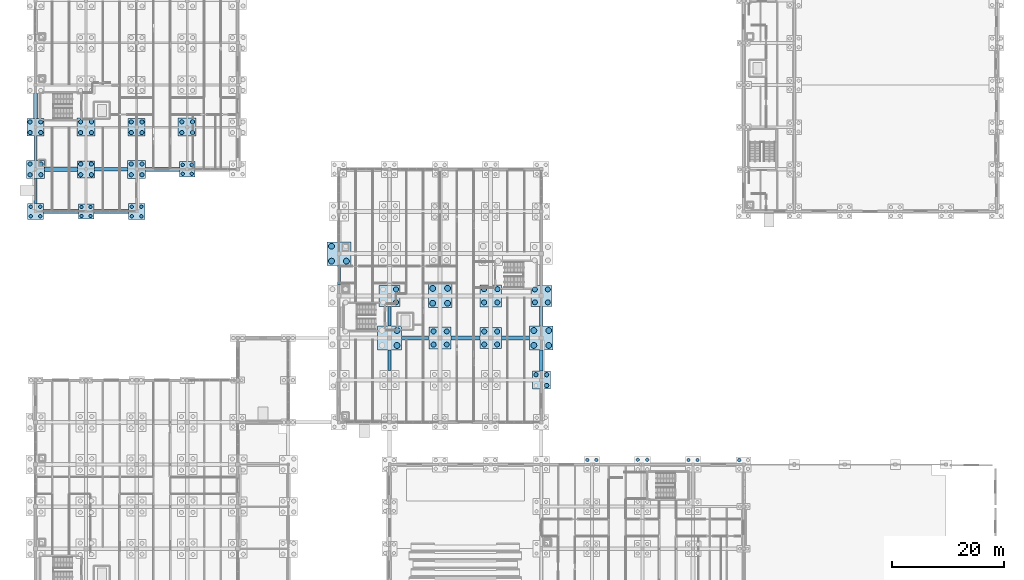
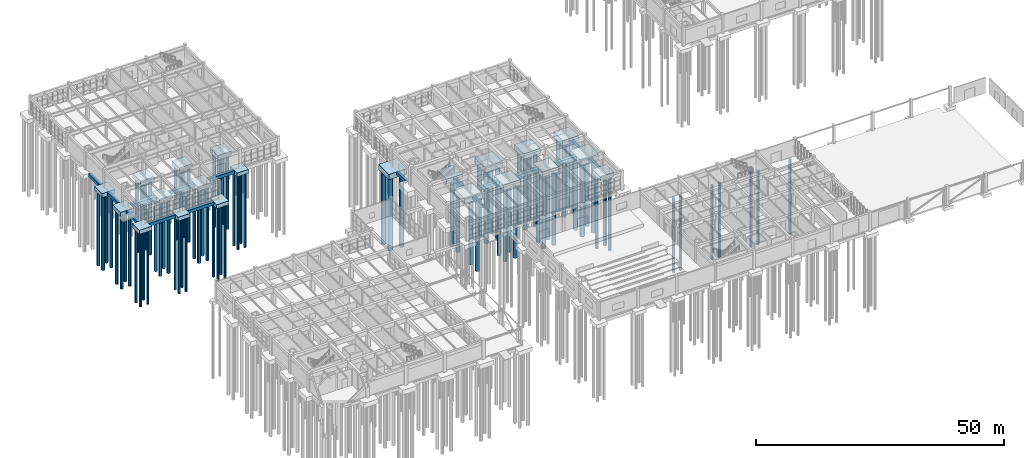
# One storey, part 5 of 93: 85 piles, 37 footings.
"""IFC4 building model written with IfcOpenShell, lengths in metres."""

from ifc_helpers import new_model, si_unit, direction, frame, origin, origin_2d, place, context, subcontext, project, spatial, rectangle, circle, extrude, material, material_profile, profile_set, type_object, element, save


model = new_model("IFC4")

# Units and contexts
model_context = context("Model", 3, precision=1e-05, world=origin(), true_north=direction((0.0, 1.0)))
body_context = subcontext(model_context, "Body", "Model", "MODEL_VIEW")
ifc_project = project(units=[si_unit("LENGTHUNIT", "METRE"), si_unit("AREAUNIT", "SQUARE_METRE"), si_unit("VOLUMEUNIT", "CUBIC_METRE"), si_unit("PLANEANGLEUNIT", "RADIAN"), si_unit("MASSUNIT", "GRAM", prefix="KILO")], contexts=[model_context])

# Site, building, storey
site_placement = place(None, origin())
site = spatial("IfcSite", under=ifc_project, at=site_placement, CompositionType="ELEMENT")
building_placement = place(site_placement, origin())
building = spatial("IfcBuilding", under=site, at=building_placement, Name="Marnridge Secondary College", CompositionType="ELEMENT")
storey_placement = place(building_placement, origin())
storey = spatial("IfcBuildingStorey", under=building, at=storey_placement, Name="L00", CompositionType="ELEMENT", Elevation=0.0)

# Footings
ifc_material_1 = material(Name="Concrete C40/50 (AS 3600 N40, 40 MPa)", Category="concrete")
footing_type_1 = type_object("IfcFootingType", Name="FT-PC-2750", PredefinedType="PILE_CAP", material=ifc_material_1)
for number, where, z_axis, x_axis, name in (
    (1, (9.0, 75.0, -1.2001953125), (0.0, 0.0, 1.0), (1.0, 0.0, 0.0), "Pile cap PC-105"),
    (2, (27.0, 82.5, -1.2001953125), (0.0, 0.0, 1.0), (1.0, 0.0, 0.0), "Pile cap PC-121"),
):
    element("IfcFooting", number, at=place(storey_placement, frame(where, z_axis=z_axis, x_axis=x_axis)), inside=storey, type_object=footing_type_1, Name=name, PredefinedType="PILE_CAP", context=body_context, shape_type="SweptSolid", body=[
        extrude(rectangle(XDim=2.75, YDim=2.75, at=origin_2d()), origin(), (0.0, 0.0, 1.0), 0.949951171875),
    ])
ifc_material_2 = material(Name="Concrete C40/50 (AS 3600 N40, 40 MPa)", Category="concrete")
footing_type_2 = type_object("IfcFootingType", Name="FT-PC-2900", PredefinedType="PILE_CAP", material=ifc_material_2)
for number, where, z_axis, x_axis, name in (
    (3, (0.0, 75.0, -1.22998046875), (0.0, 0.0, 1.0), (1.0, 0.0, 0.0), "Pile cap PC-104"),
    (4, (18.0, 75.0, -1.22998046875), (0.0, 0.0, 1.0), (1.0, 0.0, 0.0), "Pile cap PC-106"),
):
    element("IfcFooting", number, at=place(storey_placement, frame(where, z_axis=z_axis, x_axis=x_axis)), inside=storey, type_object=footing_type_2, Name=name, PredefinedType="PILE_CAP", context=body_context, shape_type="SweptSolid", body=[
        extrude(rectangle(XDim=2.89990234375, YDim=2.89990234375, at=origin_2d()), origin(), (0.0, 0.0, 1.0), 0.97998046875),
    ])
ifc_material_3 = material(Name="Concrete C40/50 (AS 3600 N40, 40 MPa)", Category="concrete")
footing_type_3 = type_object("IfcFootingType", Name="FT-PC-3050", PredefinedType="PILE_CAP", material=ifc_material_3)
for number, where, z_axis, x_axis, name in (
    (5, (9.0, 82.5, -1.25), (0.0, 0.0, 1.0), (1.0, 0.0, 0.0), "Pile cap PC-119"),
    (6, (0.0, 90.0, -1.25), (0.0, 0.0, 1.0), (1.0, 0.0, 0.0), "Pile cap PC-131"),
    (7, (18.0, 90.0, -1.25), (0.0, 0.0, 1.0), (1.0, 0.0, 0.0), "Pile cap PC-133"),
):
    element("IfcFooting", number, at=place(storey_placement, frame(where, z_axis=z_axis, x_axis=x_axis)), inside=storey, type_object=footing_type_3, Name=name, PredefinedType="PILE_CAP", context=body_context, shape_type="SweptSolid", body=[
        extrude(rectangle(XDim=3.050048828125, YDim=3.050048828125, at=origin_2d()), origin(), (0.0, 0.0, 1.0), 1.0),
    ])
ifc_material_4 = material(Name="Concrete C40/50 (AS 3600 N40, 40 MPa)", Category="concrete")
footing_type_4 = type_object("IfcFootingType", Name="FT-PC-3200", PredefinedType="PILE_CAP", material=ifc_material_4)
for number, where, z_axis, x_axis, name in (
    (8, (90.0, 45.0, -1.2998046875), (0.0, 0.0, 1.0), (1.0, 0.0, 0.0), "Pile cap PC-086"),
    (9, (0.0, 82.5, -1.2998046875), (0.0, 0.0, 1.0), (1.0, 0.0, 0.0), "Pile cap PC-118"),
    (10, (18.0, 82.5, -1.2998046875), (0.0, 0.0, 1.0), (1.0, 0.0, 0.0), "Pile cap PC-120"),
    (11, (9.0, 90.0, -1.2998046875), (0.0, 0.0, 1.0), (1.0, 0.0, 0.0), "Pile cap PC-132"),
    (12, (27.0, 90.0, -1.2998046875), (0.0, 0.0, 1.0), (1.0, 0.0, 0.0), "Pile cap PC-134"),
):
    element("IfcFooting", number, at=place(storey_placement, frame(where, z_axis=z_axis, x_axis=x_axis)), inside=storey, type_object=footing_type_4, Name=name, PredefinedType="PILE_CAP", context=body_context, shape_type="SweptSolid", body=[
        extrude(rectangle(XDim=3.199951171875, YDim=3.199951171875, at=origin_2d()), origin(), (0.0, 0.0, 1.0), 1.050048828125),
    ])
ifc_material_5 = material(Name="Concrete C40/50 (AS 3600 N40, 40 MPa)", Category="concrete")
footing_type_5 = type_object("IfcFootingType", Name="FT-PC-3750", PredefinedType="PILE_CAP", material=ifc_material_5)
for number, where, z_axis, x_axis, name in (
    (13, (81.0, 52.5, -1.4501953125), (0.0, 0.0, 1.0), (1.0, 0.0, 0.0), "Pile cap PC-092"),
    (14, (63.0, 60.0, -1.4501953125), (0.0, 0.0, 1.0), (1.0, 0.0, 0.0), "Pile cap PC-095"),
    (15, (90.0, 60.0, -1.4501953125), (0.0, 0.0, 1.0), (1.0, 0.0, 0.0), "Pile cap PC-098"),
):
    element("IfcFooting", number, at=place(storey_placement, frame(where, z_axis=z_axis, x_axis=x_axis)), inside=storey, type_object=footing_type_5, Name=name, PredefinedType="PILE_CAP", context=body_context, shape_type="SweptSolid", body=[
        extrude(rectangle(XDim=3.75, YDim=3.75, at=origin_2d()), origin(), (0.0, 0.0, 1.0), 1.199951171875),
    ])
ifc_material_6 = material(Name="Concrete C40/50 (AS 3600 N40, 40 MPa)", Category="concrete")
footing_type_6 = type_object("IfcFootingType", Name="FT-PC-3900", PredefinedType="PILE_CAP", material=ifc_material_6)
for number, where, z_axis, x_axis, name in (
    (16, (72.0, 52.5, -1.5), (0.0, 0.0, 1.0), (1.0, 0.0, 0.0), "Pile cap PC-091"),
    (17, (81.0, 60.0, -1.5), (0.0, 0.0, 1.0), (1.0, 0.0, 0.0), "Pile cap PC-097"),
):
    element("IfcFooting", number, at=place(storey_placement, frame(where, z_axis=z_axis, x_axis=x_axis)), inside=storey, type_object=footing_type_6, Name=name, PredefinedType="PILE_CAP", context=body_context, shape_type="SweptSolid", body=[
        extrude(rectangle(XDim=3.89990234375, YDim=3.89990234375, at=origin_2d()), origin(), (0.0, 0.0, 1.0), 1.25),
    ])
ifc_material_7 = material(Name="Concrete C50/60 (AS 3600 N50, 50 MPa)", Category="concrete")
footing_type_7 = type_object("IfcFootingType", Name="FT-PC-4200", PredefinedType="PILE_CAP", material=ifc_material_7)
for number, where, z_axis, x_axis, name in (
    (18, (63.0, 52.5, -1.5498046875), (0.0, 0.0, 1.0), (1.0, 0.0, 0.0), "Pile cap PC-090"),
    (19, (90.0, 52.5, -1.5498046875), (0.0, 0.0, 1.0), (1.0, 0.0, 0.0), "Pile cap PC-093"),
    (20, (72.0, 60.0, -1.5498046875), (0.0, 0.0, 1.0), (1.0, 0.0, 0.0), "Pile cap PC-096"),
    (21, (54.0, 67.5, -1.5498046875), (0.0, 0.0, 1.0), (1.0, 0.0, 0.0), "Pile cap PC-099"),
):
    element("IfcFooting", number, at=place(storey_placement, frame(where, z_axis=z_axis, x_axis=x_axis)), inside=storey, type_object=footing_type_7, Name=name, PredefinedType="PILE_CAP", context=body_context, shape_type="SweptSolid", body=[
        extrude(rectangle(XDim=4.199951171875, YDim=4.199951171875, at=origin_2d()), origin(), (0.0, 0.0, 1.0), 1.300048828125),
    ])
ifc_material_8 = material(Name="Concrete C40/50 (AS 3600 N40, 40 MPa)", Category="concrete")
footing_type_8 = type_object("IfcFootingType", Name="FT-SF-600", PredefinedType="STRIP_FOOTING", material=ifc_material_8)
footing_1_placement = place(storey_placement, frame((0.0, 78.675048828125, -0.9501953125), z_axis=(0.0, 0.0, 1.0), x_axis=(1.0, 0.0, 0.0)))
element("IfcFooting", 22, at=footing_1_placement, inside=storey, type_object=footing_type_8, Name="Ground strip footing SF-011", PredefinedType="STRIP_FOOTING", context=body_context, shape_type="SweptSolid", body=[
    extrude(rectangle(XDim=0.60009765625, YDim=4.449951171875, at=origin_2d()), origin(), (0.0, 0.0, 1.0), 0.699951171875),
])
footing_2_placement = place(storey_placement, frame((0.0, 86.28759765625, -0.9501953125), z_axis=(0.0, 0.0, 1.0), x_axis=(1.0, 0.0, 0.0)))
element("IfcFooting", 23, at=footing_2_placement, inside=storey, type_object=footing_type_8, Name="Ground strip footing SF-013", PredefinedType="STRIP_FOOTING", context=body_context, shape_type="SweptSolid", body=[
    extrude(rectangle(XDim=0.60009765625, YDim=4.375, at=origin_2d()), origin(), (0.0, 0.0, 1.0), 0.699951171875),
])
footing_3_placement = place(storey_placement, frame((13.46240234375, 82.5, -0.9501953125), z_axis=(0.0, 0.0, 1.0), x_axis=(1.0, 0.0, 0.0)))
element("IfcFooting", 24, at=footing_3_placement, inside=storey, type_object=footing_type_8, Name="Ground strip footing SF-023", PredefinedType="STRIP_FOOTING", context=body_context, shape_type="SweptSolid", body=[
    extrude(rectangle(XDim=5.875, YDim=0.60009765625, at=origin_2d()), origin(), (0.0, 0.0, 1.0), 0.699951171875),
])
footing_4_placement = place(storey_placement, frame((54.0, 63.675048828125, -0.9501953125), z_axis=(0.0, 0.0, 1.0), x_axis=(1.0, 0.0, 0.0)))
element("IfcFooting", 25, at=footing_4_placement, inside=storey, type_object=footing_type_8, Name="Ground strip footing SF-065", PredefinedType="STRIP_FOOTING", context=body_context, shape_type="SweptSolid", body=[
    extrude(rectangle(XDim=0.60009765625, YDim=3.449951171875, at=origin_2d()), origin(), (0.0, 0.0, 1.0), 0.699951171875),
])
footing_5_placement = place(storey_placement, frame((63.0, 48.53759765625, -0.9501953125), z_axis=(0.0, 0.0, 1.0), x_axis=(1.0, 0.0, 0.0)))
element("IfcFooting", 26, at=footing_5_placement, inside=storey, type_object=footing_type_8, Name="Ground strip footing SF-079", PredefinedType="STRIP_FOOTING", context=body_context, shape_type="SweptSolid", body=[
    extrude(rectangle(XDim=0.60009765625, YDim=3.72509765625, at=origin_2d()), origin(), (0.0, 0.0, 1.0), 0.699951171875),
])
footing_6_placement = place(storey_placement, frame((67.574951171875, 52.5, -0.9501953125), z_axis=(0.0, 0.0, 1.0), x_axis=(1.0, 0.0, 0.0)))
element("IfcFooting", 27, at=footing_6_placement, inside=storey, type_object=footing_type_8, Name="Ground strip footing SF-080", PredefinedType="STRIP_FOOTING", context=body_context, shape_type="SweptSolid", body=[
    extrude(rectangle(XDim=4.949951171875, YDim=0.60009765625, at=origin_2d()), origin(), (0.0, 0.0, 1.0), 0.699951171875),
])
footing_7_placement = place(storey_placement, frame((63.0, 56.362548828125, -0.9501953125), z_axis=(0.0, 0.0, 1.0), x_axis=(1.0, 0.0, 0.0)))
element("IfcFooting", 28, at=footing_7_placement, inside=storey, type_object=footing_type_8, Name="Ground strip footing SF-081", PredefinedType="STRIP_FOOTING", context=body_context, shape_type="SweptSolid", body=[
    extrude(rectangle(XDim=0.60009765625, YDim=3.52490234375, at=origin_2d()), origin(), (0.0, 0.0, 1.0), 0.699951171875),
])
footing_8_placement = place(storey_placement, frame((90.0, 48.5, -0.9501953125), z_axis=(0.0, 0.0, 1.0), x_axis=(1.0, 0.0, 0.0)))
element("IfcFooting", 29, at=footing_8_placement, inside=storey, type_object=footing_type_8, Name="Ground strip footing SF-107", PredefinedType="STRIP_FOOTING", context=body_context, shape_type="SweptSolid", body=[
    extrude(rectangle(XDim=0.60009765625, YDim=3.800048828125, at=origin_2d()), origin(), (0.0, 0.0, 1.0), 0.699951171875),
])
ifc_material_9 = material(Name="Concrete C40/50 (AS 3600 N40, 40 MPa)", Category="concrete")
footing_type_9 = type_object("IfcFootingType", Name="FT-SF-680", PredefinedType="STRIP_FOOTING", material=ifc_material_9)
footing_9_placement = place(storey_placement, frame((4.53759765625, 75.0, -1.009765625), z_axis=(0.0, 0.0, 1.0), x_axis=(1.0, 0.0, 0.0)))
element("IfcFooting", 30, at=footing_9_placement, inside=storey, type_object=footing_type_9, Name="Ground strip footing SF-010", PredefinedType="STRIP_FOOTING", context=body_context, shape_type="SweptSolid", body=[
    extrude(rectangle(XDim=6.175048828125, YDim=0.679931640625, at=origin_2d()), origin(), (0.0, 0.0, 1.0), 0.760009765625),
])
footing_10_placement = place(storey_placement, frame((0.0, 93.75, -1.009765625), z_axis=(0.0, 0.0, 1.0), x_axis=(1.0, 0.0, 0.0)))
element("IfcFooting", 31, at=footing_10_placement, inside=storey, type_object=footing_type_9, Name="Ground strip footing SF-014", PredefinedType="STRIP_FOOTING", context=body_context, shape_type="SweptSolid", body=[
    extrude(rectangle(XDim=0.679931640625, YDim=4.449951171875, at=origin_2d()), origin(), (0.0, 0.0, 1.0), 0.760009765625),
])
footing_11_placement = place(storey_placement, frame((13.46240234375, 75.0, -1.009765625), z_axis=(0.0, 0.0, 1.0), x_axis=(1.0, 0.0, 0.0)))
element("IfcFooting", 32, at=footing_11_placement, inside=storey, type_object=footing_type_9, Name="Ground strip footing SF-022", PredefinedType="STRIP_FOOTING", context=body_context, shape_type="SweptSolid", body=[
    extrude(rectangle(XDim=6.175048828125, YDim=0.679931640625, at=origin_2d()), origin(), (0.0, 0.0, 1.0), 0.760009765625),
])
footing_12_placement = place(storey_placement, frame((22.612548828125, 82.5, -1.009765625), z_axis=(0.0, 0.0, 1.0), x_axis=(1.0, 0.0, 0.0)))
element("IfcFooting", 33, at=footing_12_placement, inside=storey, type_object=footing_type_9, Name="Ground strip footing SF-028", PredefinedType="STRIP_FOOTING", context=body_context, shape_type="SweptSolid", body=[
    extrude(rectangle(XDim=6.02490234375, YDim=0.679931640625, at=origin_2d()), origin(), (0.0, 0.0, 1.0), 0.760009765625),
])
footing_13_placement = place(storey_placement, frame((90.0, 56.362548828125, -1.009765625), z_axis=(0.0, 0.0, 1.0), x_axis=(1.0, 0.0, 0.0)))
element("IfcFooting", 34, at=footing_13_placement, inside=storey, type_object=footing_type_9, Name="Ground strip footing SF-108", PredefinedType="STRIP_FOOTING", context=body_context, shape_type="SweptSolid", body=[
    extrude(rectangle(XDim=0.679931640625, YDim=3.52490234375, at=origin_2d()), origin(), (0.0, 0.0, 1.0), 0.760009765625),
])
ifc_material_10 = material(Name="Concrete C40/50 (AS 3600 N40, 40 MPa)", Category="concrete")
footing_type_10 = type_object("IfcFootingType", Name="FT-SF-760", PredefinedType="STRIP_FOOTING", material=ifc_material_10)
footing_14_placement = place(storey_placement, frame((4.53759765625, 82.5, -1.06982421875), z_axis=(0.0, 0.0, 1.0), x_axis=(1.0, 0.0, 0.0)))
element("IfcFooting", 35, at=footing_14_placement, inside=storey, type_object=footing_type_10, Name="Ground strip footing SF-012", PredefinedType="STRIP_FOOTING", context=body_context, shape_type="SweptSolid", body=[
    extrude(rectangle(XDim=5.875, YDim=0.760009765625, at=origin_2d()), origin(), (0.0, 0.0, 1.0), 0.820068359375),
])
footing_15_placement = place(storey_placement, frame((76.53759765625, 52.5, -1.06982421875), z_axis=(0.0, 0.0, 1.0), x_axis=(1.0, 0.0, 0.0)))
element("IfcFooting", 36, at=footing_15_placement, inside=storey, type_object=footing_type_10, Name="Ground strip footing SF-090", PredefinedType="STRIP_FOOTING", context=body_context, shape_type="SweptSolid", body=[
    extrude(rectangle(XDim=5.175048828125, YDim=0.760009765625, at=origin_2d()), origin(), (0.0, 0.0, 1.0), 0.820068359375),
])
footing_16_placement = place(storey_placement, frame((85.387451171875, 52.5, -1.06982421875), z_axis=(0.0, 0.0, 1.0), x_axis=(1.0, 0.0, 0.0)))
element("IfcFooting", 37, at=footing_16_placement, inside=storey, type_object=footing_type_10, Name="Ground strip footing SF-096", PredefinedType="STRIP_FOOTING", context=body_context, shape_type="SweptSolid", body=[
    extrude(rectangle(XDim=5.02490234375, YDim=0.760009765625, at=origin_2d()), origin(), (0.0, 0.0, 1.0), 0.820068359375),
])

# Piles
ifc_material_11 = material(Name="Concrete C50/60 (AS 3600 N50, 50 MPa)", Category="concrete")
ifc_material_profile_1 = material_profile(ifc_material_11, circle(Radius=0.52490234375, at=origin_2d()), Name="PILE D1050")
ifc_profile_set_1 = profile_set([ifc_material_profile_1], Name="Concrete C50/60 (AS 3600 N50, 50 MPa)")
pile_type_1 = type_object("IfcPileType", Name="PL-D1050-N50", PredefinedType="BORED", material=ifc_profile_set_1)
for number, where, z_axis, x_axis, name in (
    (38, (64.324951171875, 51.175048828125, -1.449951171875), (0.0, 0.0, -1.0), (1.0, 0.0, 0.0), "Bored pile PL-334"),
    (39, (64.324951171875, 53.824951171875, -1.449951171875), (0.0, 0.0, -1.0), (1.0, 0.0, 0.0), "Bored pile PL-336"),
    (40, (88.675048828125, 51.175048828125, -1.449951171875), (0.0, 0.0, -1.0), (1.0, 0.0, 0.0), "Bored pile PL-345"),
    (41, (91.324951171875, 51.175048828125, -1.449951171875), (0.0, 0.0, -1.0), (1.0, 0.0, 0.0), "Bored pile PL-346"),
    (42, (88.675048828125, 53.824951171875, -1.449951171875), (0.0, 0.0, -1.0), (1.0, 0.0, 0.0), "Bored pile PL-347"),
    (43, (91.324951171875, 53.824951171875, -1.449951171875), (0.0, 0.0, -1.0), (1.0, 0.0, 0.0), "Bored pile PL-348"),
    (44, (70.675048828125, 58.675048828125, -1.449951171875), (0.0, 0.0, -1.0), (1.0, 0.0, 0.0), "Bored pile PL-357"),
    (45, (73.324951171875, 58.675048828125, -1.449951171875), (0.0, 0.0, -1.0), (1.0, 0.0, 0.0), "Bored pile PL-358"),
    (46, (70.675048828125, 61.324951171875, -1.449951171875), (0.0, 0.0, -1.0), (1.0, 0.0, 0.0), "Bored pile PL-359"),
    (47, (73.324951171875, 61.324951171875, -1.449951171875), (0.0, 0.0, -1.0), (1.0, 0.0, 0.0), "Bored pile PL-360"),
    (48, (52.675048828125, 66.175048828125, -1.449951171875), (0.0, 0.0, -1.0), (1.0, 0.0, 0.0), "Bored pile PL-369"),
    (49, (55.324951171875, 66.175048828125, -1.449951171875), (0.0, 0.0, -1.0), (1.0, 0.0, 0.0), "Bored pile PL-370"),
    (50, (52.675048828125, 68.824951171875, -1.449951171875), (0.0, 0.0, -1.0), (1.0, 0.0, 0.0), "Bored pile PL-371"),
):
    element("IfcPile", number, at=place(storey_placement, frame(where, z_axis=z_axis, x_axis=x_axis)), inside=storey, type_object=pile_type_1, Name=name, PredefinedType="BORED", context=body_context, shape_type="SweptSolid", body=[
        extrude(circle(Radius=0.52490234375, at=origin_2d()), origin(), (0.0, 0.0, 1.0), 18.050048828125),
    ])
ifc_material_12 = material(Name="Concrete C40/50 (AS 3600 N40, 40 MPa)", Category="concrete")
ifc_material_profile_2 = material_profile(ifc_material_12, circle(Radius=0.300048828125, at=origin_2d()), Name="PILE D600")
ifc_profile_set_2 = profile_set([ifc_material_profile_2], Name="Concrete C40/50 (AS 3600 N40, 40 MPa)")
pile_type_2 = type_object("IfcPileType", Name="PL-D600-N40", PredefinedType="BORED", material=ifc_profile_set_2)
for number, where, z_axis, x_axis, name in (
    (51, (98.199951171875, 30.800048828125, -1.10009765625), (0.0, 0.0, -1.0), (1.0, 0.0, 0.0), "Bored pile PL-237"),
    (52, (99.800048828125, 30.800048828125, -1.10009765625), (0.0, 0.0, -1.0), (1.0, 0.0, 0.0), "Bored pile PL-238"),
):
    element("IfcPile", number, at=place(storey_placement, frame(where, z_axis=z_axis, x_axis=x_axis)), inside=storey, type_object=pile_type_2, Name=name, PredefinedType="BORED", context=body_context, shape_type="SweptSolid", body=[
        extrude(circle(Radius=0.300048828125, at=origin_2d()), origin(), (0.0, 0.0, 1.0), 18.39990234375),
    ])
for number, where, z_axis, x_axis, name in (
    (53, (107.14990234375, 30.85009765625, -1.1298828125), (0.0, 0.0, -1.0), (1.0, 0.0, 0.0), "Bored pile PL-241"),
    (54, (108.85009765625, 30.85009765625, -1.1298828125), (0.0, 0.0, -1.0), (1.0, 0.0, 0.0), "Bored pile PL-242"),
):
    element("IfcPile", number, at=place(storey_placement, frame(where, z_axis=z_axis, x_axis=x_axis)), inside=storey, type_object=pile_type_2, Name=name, PredefinedType="BORED", context=body_context, shape_type="SweptSolid", body=[
        extrude(circle(Radius=0.300048828125, at=origin_2d()), origin(), (0.0, 0.0, 1.0), 18.3701171875),
    ])
for number, where, z_axis, x_axis, name in (
    (55, (116.199951171875, 30.800048828125, -1.10009765625), (0.0, 0.0, -1.0), (1.0, 0.0, 0.0), "Bored pile PL-245"),
    (56, (117.800048828125, 30.800048828125, -1.10009765625), (0.0, 0.0, -1.0), (1.0, 0.0, 0.0), "Bored pile PL-246"),
):
    element("IfcPile", number, at=place(storey_placement, frame(where, z_axis=z_axis, x_axis=x_axis)), inside=storey, type_object=pile_type_2, Name=name, PredefinedType="BORED", context=body_context, shape_type="SweptSolid", body=[
        extrude(circle(Radius=0.300048828125, at=origin_2d()), origin(), (0.0, 0.0, 1.0), 18.39990234375),
    ])
pile_placement = place(storey_placement, frame((125.22509765625, 30.77490234375, -1.070068359375), z_axis=(0.0, 0.0, -1.0), x_axis=(1.0, 0.0, 0.0)))
element("IfcPile", 57, at=pile_placement, inside=storey, type_object=pile_type_2, Name="Bored pile PL-249", PredefinedType="BORED", context=body_context, shape_type="SweptSolid", body=[
    extrude(circle(Radius=0.300048828125, at=origin_2d()), origin(), (0.0, 0.0, 1.0), 18.429931640625),
])
for number, where, z_axis, x_axis, name in (
    (58, (-0.85009765625, 74.14990234375, -1.1298828125), (0.0, 0.0, -1.0), (1.0, 0.0, 0.0), "Bored pile PL-389"),
    (59, (0.85009765625, 74.14990234375, -1.1298828125), (0.0, 0.0, -1.0), (1.0, 0.0, 0.0), "Bored pile PL-390"),
    (60, (-0.85009765625, 75.85009765625, -1.1298828125), (0.0, 0.0, -1.0), (1.0, 0.0, 0.0), "Bored pile PL-391"),
    (61, (0.85009765625, 75.85009765625, -1.1298828125), (0.0, 0.0, -1.0), (1.0, 0.0, 0.0), "Bored pile PL-392"),
):
    element("IfcPile", number, at=place(storey_placement, frame(where, z_axis=z_axis, x_axis=x_axis)), inside=storey, type_object=pile_type_2, Name=name, PredefinedType="BORED", context=body_context, shape_type="SweptSolid", body=[
        extrude(circle(Radius=0.300048828125, at=origin_2d()), origin(), (0.0, 0.0, 1.0), 18.3701171875),
    ])
for number, where, z_axis, x_axis, name in (
    (62, (8.199951171875, 74.199951171875, -1.10009765625), (0.0, 0.0, -1.0), (1.0, 0.0, 0.0), "Bored pile PL-393"),
    (63, (9.800048828125, 74.199951171875, -1.10009765625), (0.0, 0.0, -1.0), (1.0, 0.0, 0.0), "Bored pile PL-394"),
    (64, (8.199951171875, 75.800048828125, -1.10009765625), (0.0, 0.0, -1.0), (1.0, 0.0, 0.0), "Bored pile PL-395"),
    (65, (9.800048828125, 75.800048828125, -1.10009765625), (0.0, 0.0, -1.0), (1.0, 0.0, 0.0), "Bored pile PL-396"),
):
    element("IfcPile", number, at=place(storey_placement, frame(where, z_axis=z_axis, x_axis=x_axis)), inside=storey, type_object=pile_type_2, Name=name, PredefinedType="BORED", context=body_context, shape_type="SweptSolid", body=[
        extrude(circle(Radius=0.300048828125, at=origin_2d()), origin(), (0.0, 0.0, 1.0), 18.39990234375),
    ])
for number, where, z_axis, x_axis, name in (
    (66, (17.14990234375, 74.14990234375, -1.1298828125), (0.0, 0.0, -1.0), (1.0, 0.0, 0.0), "Bored pile PL-397"),
    (67, (18.85009765625, 74.14990234375, -1.1298828125), (0.0, 0.0, -1.0), (1.0, 0.0, 0.0), "Bored pile PL-398"),
    (68, (17.14990234375, 75.85009765625, -1.1298828125), (0.0, 0.0, -1.0), (1.0, 0.0, 0.0), "Bored pile PL-399"),
    (69, (18.85009765625, 75.85009765625, -1.1298828125), (0.0, 0.0, -1.0), (1.0, 0.0, 0.0), "Bored pile PL-400"),
):
    element("IfcPile", number, at=place(storey_placement, frame(where, z_axis=z_axis, x_axis=x_axis)), inside=storey, type_object=pile_type_2, Name=name, PredefinedType="BORED", context=body_context, shape_type="SweptSolid", body=[
        extrude(circle(Radius=0.300048828125, at=origin_2d()), origin(), (0.0, 0.0, 1.0), 18.3701171875),
    ])
for number, where, z_axis, x_axis, name in (
    (70, (26.199951171875, 81.699951171875, -1.10009765625), (0.0, 0.0, -1.0), (1.0, 0.0, 0.0), "Bored pile PL-457"),
    (71, (27.800048828125, 81.699951171875, -1.10009765625), (0.0, 0.0, -1.0), (1.0, 0.0, 0.0), "Bored pile PL-458"),
    (72, (26.199951171875, 83.300048828125, -1.10009765625), (0.0, 0.0, -1.0), (1.0, 0.0, 0.0), "Bored pile PL-459"),
    (73, (27.800048828125, 83.300048828125, -1.10009765625), (0.0, 0.0, -1.0), (1.0, 0.0, 0.0), "Bored pile PL-460"),
):
    element("IfcPile", number, at=place(storey_placement, frame(where, z_axis=z_axis, x_axis=x_axis)), inside=storey, type_object=pile_type_2, Name=name, PredefinedType="BORED", context=body_context, shape_type="SweptSolid", body=[
        extrude(circle(Radius=0.300048828125, at=origin_2d()), origin(), (0.0, 0.0, 1.0), 18.39990234375),
    ])
ifc_material_13 = material(Name="Concrete C40/50 (AS 3600 N40, 40 MPa)", Category="concrete")
ifc_material_profile_3 = material_profile(ifc_material_13, circle(Radius=0.375, at=origin_2d()), Name="PILE D750")
ifc_profile_set_3 = profile_set([ifc_material_profile_3], Name="Concrete C40/50 (AS 3600 N40, 40 MPa)")
pile_type_3 = type_object("IfcPileType", Name="PL-D750-N40", PredefinedType="BORED", material=ifc_profile_set_3)
for number, where, z_axis, x_axis, name in (
    (74, (90.9599609375, 44.0400390625, -1.199951171875), (0.0, 0.0, -1.0), (1.0, 0.0, 0.0), "Bored pile PL-322"),
    (75, (89.0400390625, 45.9599609375, -1.199951171875), (0.0, 0.0, -1.0), (1.0, 0.0, 0.0), "Bored pile PL-323"),
    (76, (90.9599609375, 45.9599609375, -1.199951171875), (0.0, 0.0, -1.0), (1.0, 0.0, 0.0), "Bored pile PL-324"),
    (77, (-0.9599609375, 81.5400390625, -1.199951171875), (0.0, 0.0, -1.0), (1.0, 0.0, 0.0), "Bored pile PL-445"),
    (78, (0.9599609375, 81.5400390625, -1.199951171875), (0.0, 0.0, -1.0), (1.0, 0.0, 0.0), "Bored pile PL-446"),
    (79, (-0.9599609375, 83.4599609375, -1.199951171875), (0.0, 0.0, -1.0), (1.0, 0.0, 0.0), "Bored pile PL-447"),
    (80, (0.9599609375, 83.4599609375, -1.199951171875), (0.0, 0.0, -1.0), (1.0, 0.0, 0.0), "Bored pile PL-448"),
):
    element("IfcPile", number, at=place(storey_placement, frame(where, z_axis=z_axis, x_axis=x_axis)), inside=storey, type_object=pile_type_3, Name=name, PredefinedType="BORED", context=body_context, shape_type="SweptSolid", body=[
        extrude(circle(Radius=0.375, at=origin_2d()), origin(), (0.0, 0.0, 1.0), 18.300048828125),
    ])
for number, where, z_axis, x_axis, name in (
    (81, (8.050048828125, 81.550048828125, -1.14990234375), (0.0, 0.0, -1.0), (1.0, 0.0, 0.0), "Bored pile PL-449"),
    (82, (9.949951171875, 81.550048828125, -1.14990234375), (0.0, 0.0, -1.0), (1.0, 0.0, 0.0), "Bored pile PL-450"),
    (83, (8.050048828125, 83.449951171875, -1.14990234375), (0.0, 0.0, -1.0), (1.0, 0.0, 0.0), "Bored pile PL-451"),
    (84, (9.949951171875, 83.449951171875, -1.14990234375), (0.0, 0.0, -1.0), (1.0, 0.0, 0.0), "Bored pile PL-452"),
):
    element("IfcPile", number, at=place(storey_placement, frame(where, z_axis=z_axis, x_axis=x_axis)), inside=storey, type_object=pile_type_3, Name=name, PredefinedType="BORED", context=body_context, shape_type="SweptSolid", body=[
        extrude(circle(Radius=0.375, at=origin_2d()), origin(), (0.0, 0.0, 1.0), 18.35009765625),
    ])
for number, where, z_axis, x_axis, name in (
    (85, (17.0400390625, 81.5400390625, -1.199951171875), (0.0, 0.0, -1.0), (1.0, 0.0, 0.0), "Bored pile PL-453"),
    (86, (18.9599609375, 81.5400390625, -1.199951171875), (0.0, 0.0, -1.0), (1.0, 0.0, 0.0), "Bored pile PL-454"),
    (87, (17.0400390625, 83.4599609375, -1.199951171875), (0.0, 0.0, -1.0), (1.0, 0.0, 0.0), "Bored pile PL-455"),
    (88, (18.9599609375, 83.4599609375, -1.199951171875), (0.0, 0.0, -1.0), (1.0, 0.0, 0.0), "Bored pile PL-456"),
):
    element("IfcPile", number, at=place(storey_placement, frame(where, z_axis=z_axis, x_axis=x_axis)), inside=storey, type_object=pile_type_3, Name=name, PredefinedType="BORED", context=body_context, shape_type="SweptSolid", body=[
        extrude(circle(Radius=0.375, at=origin_2d()), origin(), (0.0, 0.0, 1.0), 18.300048828125),
    ])
for number, where, z_axis, x_axis, name in (
    (89, (-0.949951171875, 89.050048828125, -1.14990234375), (0.0, 0.0, -1.0), (1.0, 0.0, 0.0), "Bored pile PL-495"),
    (90, (0.949951171875, 89.050048828125, -1.14990234375), (0.0, 0.0, -1.0), (1.0, 0.0, 0.0), "Bored pile PL-496"),
    (91, (-0.949951171875, 90.949951171875, -1.14990234375), (0.0, 0.0, -1.0), (1.0, 0.0, 0.0), "Bored pile PL-497"),
    (92, (0.949951171875, 90.949951171875, -1.14990234375), (0.0, 0.0, -1.0), (1.0, 0.0, 0.0), "Bored pile PL-498"),
):
    element("IfcPile", number, at=place(storey_placement, frame(where, z_axis=z_axis, x_axis=x_axis)), inside=storey, type_object=pile_type_3, Name=name, PredefinedType="BORED", context=body_context, shape_type="SweptSolid", body=[
        extrude(circle(Radius=0.375, at=origin_2d()), origin(), (0.0, 0.0, 1.0), 18.35009765625),
    ])
for number, where, z_axis, x_axis, name in (
    (93, (8.0400390625, 89.0400390625, -1.199951171875), (0.0, 0.0, -1.0), (1.0, 0.0, 0.0), "Bored pile PL-499"),
    (94, (9.9599609375, 89.0400390625, -1.199951171875), (0.0, 0.0, -1.0), (1.0, 0.0, 0.0), "Bored pile PL-500"),
    (95, (8.0400390625, 90.9599609375, -1.199951171875), (0.0, 0.0, -1.0), (1.0, 0.0, 0.0), "Bored pile PL-501"),
    (96, (9.9599609375, 90.9599609375, -1.199951171875), (0.0, 0.0, -1.0), (1.0, 0.0, 0.0), "Bored pile PL-502"),
):
    element("IfcPile", number, at=place(storey_placement, frame(where, z_axis=z_axis, x_axis=x_axis)), inside=storey, type_object=pile_type_3, Name=name, PredefinedType="BORED", context=body_context, shape_type="SweptSolid", body=[
        extrude(circle(Radius=0.375, at=origin_2d()), origin(), (0.0, 0.0, 1.0), 18.300048828125),
    ])
for number, where, z_axis, x_axis, name in (
    (97, (17.050048828125, 89.050048828125, -1.14990234375), (0.0, 0.0, -1.0), (1.0, 0.0, 0.0), "Bored pile PL-503"),
    (98, (18.949951171875, 89.050048828125, -1.14990234375), (0.0, 0.0, -1.0), (1.0, 0.0, 0.0), "Bored pile PL-504"),
    (99, (17.050048828125, 90.949951171875, -1.14990234375), (0.0, 0.0, -1.0), (1.0, 0.0, 0.0), "Bored pile PL-505"),
    (100, (18.949951171875, 90.949951171875, -1.14990234375), (0.0, 0.0, -1.0), (1.0, 0.0, 0.0), "Bored pile PL-506"),
):
    element("IfcPile", number, at=place(storey_placement, frame(where, z_axis=z_axis, x_axis=x_axis)), inside=storey, type_object=pile_type_3, Name=name, PredefinedType="BORED", context=body_context, shape_type="SweptSolid", body=[
        extrude(circle(Radius=0.375, at=origin_2d()), origin(), (0.0, 0.0, 1.0), 18.35009765625),
    ])
for number, where, z_axis, x_axis, name in (
    (101, (26.0400390625, 89.0400390625, -1.199951171875), (0.0, 0.0, -1.0), (1.0, 0.0, 0.0), "Bored pile PL-507"),
    (102, (27.9599609375, 89.0400390625, -1.199951171875), (0.0, 0.0, -1.0), (1.0, 0.0, 0.0), "Bored pile PL-508"),
    (103, (26.0400390625, 90.9599609375, -1.199951171875), (0.0, 0.0, -1.0), (1.0, 0.0, 0.0), "Bored pile PL-509"),
    (104, (27.9599609375, 90.9599609375, -1.199951171875), (0.0, 0.0, -1.0), (1.0, 0.0, 0.0), "Bored pile PL-510"),
):
    element("IfcPile", number, at=place(storey_placement, frame(where, z_axis=z_axis, x_axis=x_axis)), inside=storey, type_object=pile_type_3, Name=name, PredefinedType="BORED", context=body_context, shape_type="SweptSolid", body=[
        extrude(circle(Radius=0.375, at=origin_2d()), origin(), (0.0, 0.0, 1.0), 18.300048828125),
    ])
ifc_material_14 = material(Name="Concrete C50/60 (AS 3600 N50, 50 MPa)", Category="concrete")
ifc_material_profile_4 = material_profile(ifc_material_14, circle(Radius=0.449951171875, at=origin_2d()), Name="PILE D900")
ifc_profile_set_4 = profile_set([ifc_material_profile_4], Name="Concrete C50/60 (AS 3600 N50, 50 MPa)")
pile_type_4 = type_object("IfcPileType", Name="PL-D900-N50", PredefinedType="BORED", material=ifc_profile_set_4)
for number, where, z_axis, x_axis, name in (
    (105, (70.824951171875, 51.324951171875, -1.39990234375), (0.0, 0.0, -1.0), (1.0, 0.0, 0.0), "Bored pile PL-337"),
    (106, (73.175048828125, 51.324951171875, -1.39990234375), (0.0, 0.0, -1.0), (1.0, 0.0, 0.0), "Bored pile PL-338"),
    (107, (70.824951171875, 53.675048828125, -1.39990234375), (0.0, 0.0, -1.0), (1.0, 0.0, 0.0), "Bored pile PL-339"),
    (108, (73.175048828125, 53.675048828125, -1.39990234375), (0.0, 0.0, -1.0), (1.0, 0.0, 0.0), "Bored pile PL-340"),
):
    element("IfcPile", number, at=place(storey_placement, frame(where, z_axis=z_axis, x_axis=x_axis)), inside=storey, type_object=pile_type_4, Name=name, PredefinedType="BORED", context=body_context, shape_type="SweptSolid", body=[
        extrude(circle(Radius=0.449951171875, at=origin_2d()), origin(), (0.0, 0.0, 1.0), 18.10009765625),
    ])
for number, where, z_axis, x_axis, name in (
    (109, (79.85009765625, 51.35009765625, -1.35009765625), (0.0, 0.0, -1.0), (1.0, 0.0, 0.0), "Bored pile PL-341"),
    (110, (82.14990234375, 51.35009765625, -1.35009765625), (0.0, 0.0, -1.0), (1.0, 0.0, 0.0), "Bored pile PL-342"),
    (111, (79.85009765625, 53.64990234375, -1.35009765625), (0.0, 0.0, -1.0), (1.0, 0.0, 0.0), "Bored pile PL-343"),
    (112, (82.14990234375, 53.64990234375, -1.35009765625), (0.0, 0.0, -1.0), (1.0, 0.0, 0.0), "Bored pile PL-344"),
    (113, (64.14990234375, 58.85009765625, -1.35009765625), (0.0, 0.0, -1.0), (1.0, 0.0, 0.0), "Bored pile PL-354"),
    (114, (64.14990234375, 61.14990234375, -1.35009765625), (0.0, 0.0, -1.0), (1.0, 0.0, 0.0), "Bored pile PL-356"),
):
    element("IfcPile", number, at=place(storey_placement, frame(where, z_axis=z_axis, x_axis=x_axis)), inside=storey, type_object=pile_type_4, Name=name, PredefinedType="BORED", context=body_context, shape_type="SweptSolid", body=[
        extrude(circle(Radius=0.449951171875, at=origin_2d()), origin(), (0.0, 0.0, 1.0), 18.14990234375),
    ])
for number, where, z_axis, x_axis, name in (
    (115, (79.824951171875, 58.824951171875, -1.39990234375), (0.0, 0.0, -1.0), (1.0, 0.0, 0.0), "Bored pile PL-361"),
    (116, (82.175048828125, 58.824951171875, -1.39990234375), (0.0, 0.0, -1.0), (1.0, 0.0, 0.0), "Bored pile PL-362"),
    (117, (79.824951171875, 61.175048828125, -1.39990234375), (0.0, 0.0, -1.0), (1.0, 0.0, 0.0), "Bored pile PL-363"),
    (118, (82.175048828125, 61.175048828125, -1.39990234375), (0.0, 0.0, -1.0), (1.0, 0.0, 0.0), "Bored pile PL-364"),
):
    element("IfcPile", number, at=place(storey_placement, frame(where, z_axis=z_axis, x_axis=x_axis)), inside=storey, type_object=pile_type_4, Name=name, PredefinedType="BORED", context=body_context, shape_type="SweptSolid", body=[
        extrude(circle(Radius=0.449951171875, at=origin_2d()), origin(), (0.0, 0.0, 1.0), 18.10009765625),
    ])
for number, where, z_axis, x_axis, name in (
    (119, (88.85009765625, 58.85009765625, -1.35009765625), (0.0, 0.0, -1.0), (1.0, 0.0, 0.0), "Bored pile PL-365"),
    (120, (91.14990234375, 58.85009765625, -1.35009765625), (0.0, 0.0, -1.0), (1.0, 0.0, 0.0), "Bored pile PL-366"),
    (121, (88.85009765625, 61.14990234375, -1.35009765625), (0.0, 0.0, -1.0), (1.0, 0.0, 0.0), "Bored pile PL-367"),
    (122, (91.14990234375, 61.14990234375, -1.35009765625), (0.0, 0.0, -1.0), (1.0, 0.0, 0.0), "Bored pile PL-368"),
):
    element("IfcPile", number, at=place(storey_placement, frame(where, z_axis=z_axis, x_axis=x_axis)), inside=storey, type_object=pile_type_4, Name=name, PredefinedType="BORED", context=body_context, shape_type="SweptSolid", body=[
        extrude(circle(Radius=0.449951171875, at=origin_2d()), origin(), (0.0, 0.0, 1.0), 18.14990234375),
    ])

save(model, "model.ifc")
